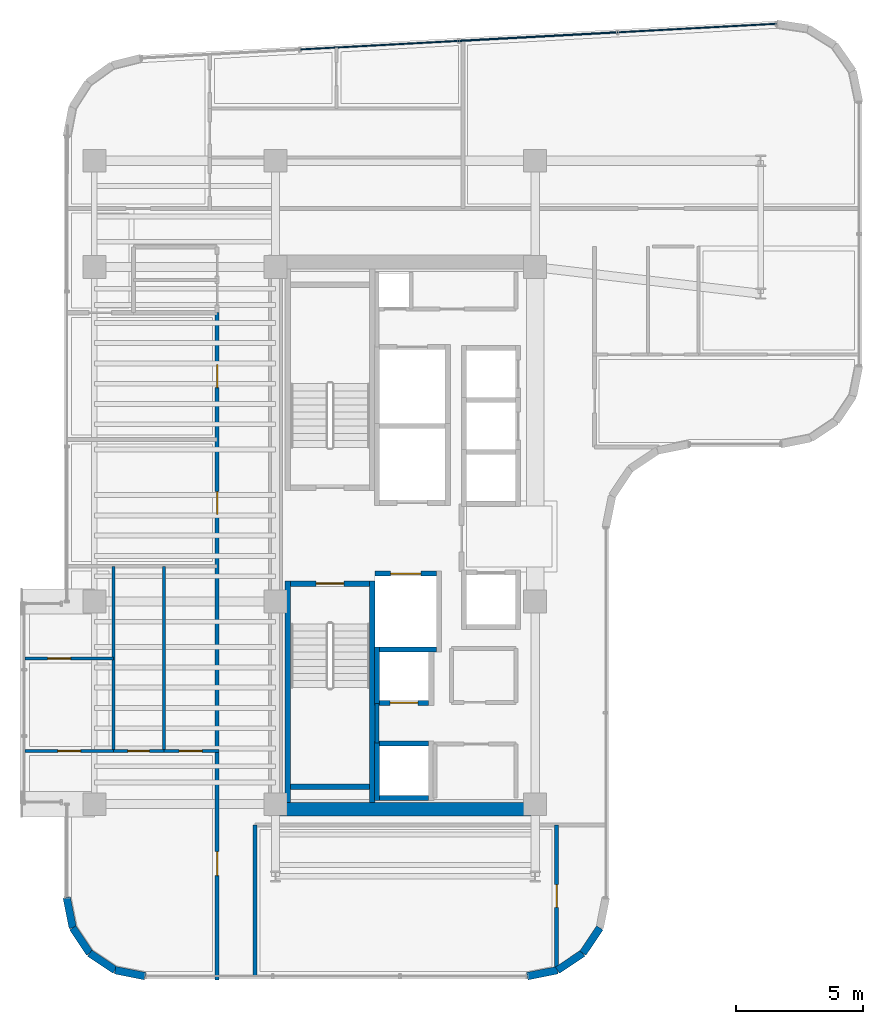
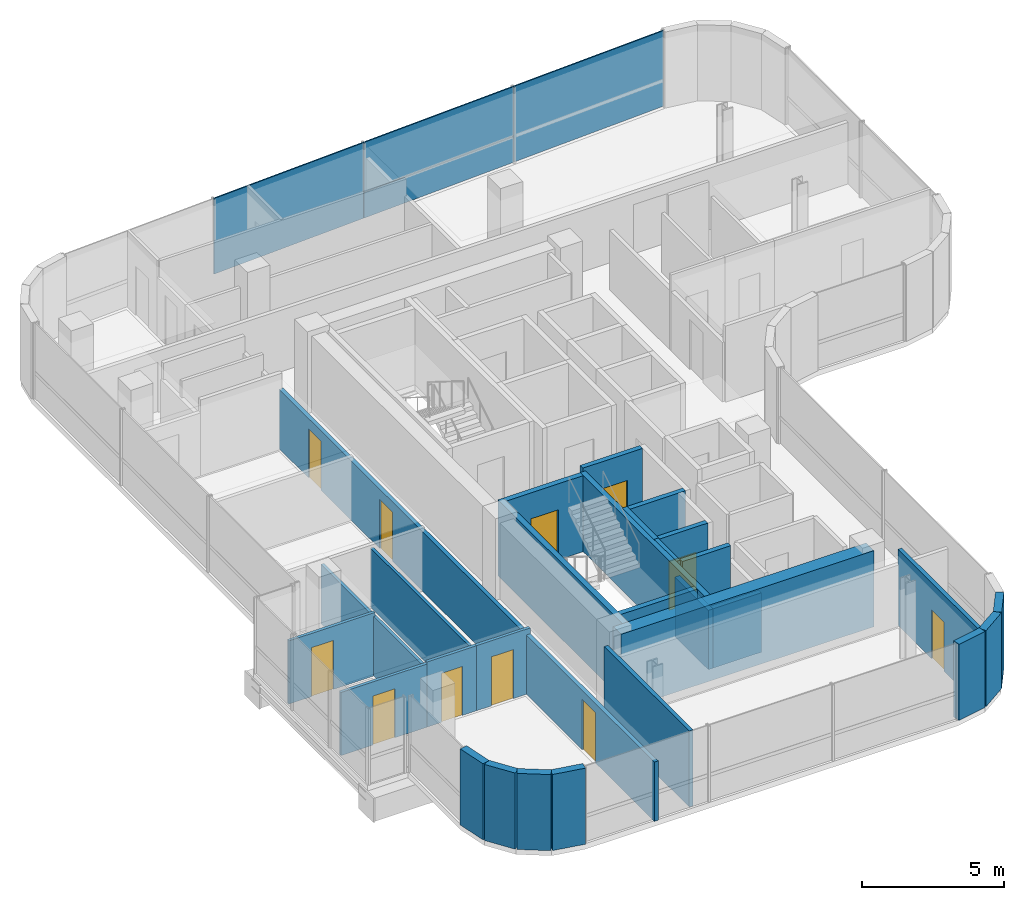
# One storey, part 18 of 24: 29 walls, 11 doors, 4 plates, 11 openings, 1 element without a shape of its own.
"""IFC4 building model written with IfcOpenShell, lengths in metres."""

import ifcopenshell
import ifcopenshell.guid

model = None  # the IFC model being written
_history = None  # IfcOwnerHistory: only IFC2X3 demands one
_inside = {}  # id of a spatial element -> (the spatial element, [elements in it])
_under = {}  # id of a project, library or spatial element -> (it, [spatial elements below it])
_declared = {}  # id of a project -> (the project, [libraries it declares])
_typed = {}  # id of a type object -> (the type object, [elements of that type])
_made_of = {}  # id of a material, layer set ... -> (it, [elements and type objects made of it])


def new_model(schema):
    """Start an empty IFC model of exactly this schema.

    Asked for "IFC4X3", IfcOpenShell would pick the latest addendum, in which some entities
    have other attributes; the version numbers below select the first issue.
    IFC2X3 requires an IfcOwnerHistory on every rooted entity: one is made here for all.
    """
    global model, _history
    if schema == "IFC4X3":
        model = ifcopenshell.file(schema_version=(4, 3, 0, 0))
    else:
        model = ifcopenshell.file(schema=schema)
    _inside.clear()
    _under.clear()
    _declared.clear()
    _typed.clear()
    _made_of.clear()
    _history = None
    if model.schema == "IFC2X3":
        org = make("IfcOrganization", Name="unknown")
        user = make(
            "IfcPersonAndOrganization",
            ThePerson=make("IfcPerson", FamilyName="unknown"),
            TheOrganization=org,
        )
        app = make(
            "IfcApplication",
            ApplicationDeveloper=org,
            Version="unknown",
            ApplicationFullName="unknown",
            ApplicationIdentifier="unknown",
        )
        _history = make(
            "IfcOwnerHistory",
            OwningUser=user,
            OwningApplication=app,
            ChangeAction="ADDED",
            CreationDate=0,
        )
    return model


def make(cls, **values):
    """One entity of the class cls with the attributes given. An attribute that is None is left unset."""
    return model.create_entity(
        cls, **{name: value for name, value in values.items() if value is not None}
    )


def rooted(cls, **values):
    """An entity with a GlobalId (a new one), such as an element, a storey or a relation."""
    return make(cls, GlobalId=ifcopenshell.guid.new(), OwnerHistory=_history, **values)


def si_unit(unit_type, name, prefix=None):
    """IfcSIUnit, for example si_unit("LENGTHUNIT", "METRE", prefix="MILLI")."""
    return make("IfcSIUnit", UnitType=unit_type, Prefix=prefix, Name=name)


def assignment(units):
    """IfcUnitAssignment: the units of a project."""
    return None if units is None else make("IfcUnitAssignment", Units=units)


def point(xyz):
    """IfcCartesianPoint."""
    return None if xyz is None else make("IfcCartesianPoint", Coordinates=xyz)


def direction(xyz):
    """IfcDirection."""
    return None if xyz is None else make("IfcDirection", DirectionRatios=xyz)


def frame(location, z_axis=None, x_axis=None):
    """IfcAxis2Placement3D, a coordinate frame: its origin and axes. An axis left out is left unset."""
    return make(
        "IfcAxis2Placement3D",
        Location=point(location),
        Axis=direction(z_axis),
        RefDirection=direction(x_axis),
    )


def frame_2d(location, x_axis=None):
    """IfcAxis2Placement2D, a coordinate frame in the plane: its origin and x axis."""
    return make(
        "IfcAxis2Placement2D", Location=point(location), RefDirection=direction(x_axis)
    )


def origin():
    """The frame at (0, 0, 0) with its axes left unset."""
    return frame((0.0, 0.0, 0.0))


def origin_2d():
    """The frame at (0, 0) in the plane with its x axis left unset."""
    return frame_2d((0.0, 0.0))


def place(relative_to, where):
    """IfcLocalPlacement: puts the frame where relative to a parent placement (None: the world)."""
    return make(
        "IfcLocalPlacement", PlacementRelTo=relative_to, RelativePlacement=where
    )


def context(
    kind, dimensions, precision=None, world=None, true_north=None, identifier=None
):
    """IfcGeometricRepresentationContext, for example the 3D "Model" context."""
    return make(
        "IfcGeometricRepresentationContext",
        ContextIdentifier=identifier,
        ContextType=kind,
        CoordinateSpaceDimension=dimensions,
        Precision=precision,
        WorldCoordinateSystem=world,
        TrueNorth=true_north,
    )


def subcontext(parent, identifier, kind, view, scale=None):
    """IfcGeometricRepresentationSubContext, for example "Body" below "Model"."""
    return make(
        "IfcGeometricRepresentationSubContext",
        ContextIdentifier=identifier,
        ContextType=kind,
        ParentContext=parent,
        TargetScale=scale,
        TargetView=view,
    )


def project(units=None, contexts=None):
    """IfcProject with its units and contexts."""
    return rooted(
        "IfcProject",
        Name="project",
        RepresentationContexts=contexts,
        UnitsInContext=assignment(units),
    )


def spatial(cls, under=None, at=None, **own):
    """A site, building, storey or space (cls), placed at a placement, below another one or the project."""
    s = rooted(cls, ObjectPlacement=at, **own)
    if under is not None:
        _under.setdefault(under.id(), (under, []))[1].append(s)
    return s


def profile(cls, at=None, kind="AREA", **sizes):
    """A parametric profile (cls). Its sizes go by their IFC names, for example OverallWidth=200.0."""
    return make(cls, ProfileType=kind, Position=at, **sizes)


def rectangle(**sizes):
    """IfcRectangleProfileDef."""
    return profile("IfcRectangleProfileDef", **sizes)


def extrude(swept, where, along, depth):
    """IfcExtrudedAreaSolid: the profile swept, set in the frame where, extruded along a direction by depth."""
    return make(
        "IfcExtrudedAreaSolid",
        SweptArea=swept,
        Position=where,
        ExtrudedDirection=direction(along),
        Depth=depth,
    )


def shape(context_of_items, identifier, shape_type, items):
    """IfcShapeRepresentation: the items that make up one representation, for example the "Body"."""
    return make(
        "IfcShapeRepresentation",
        ContextOfItems=context_of_items,
        RepresentationIdentifier=identifier,
        RepresentationType=shape_type,
        Items=items,
    )


def source(mapping_origin, context_of_items, identifier, shape_type, items):
    """IfcRepresentationMap: a shape defined once, which mapped items show again and again."""
    return make(
        "IfcRepresentationMap",
        MappingOrigin=mapping_origin,
        MappedRepresentation=shape(context_of_items, identifier, shape_type, items),
    )


def transform(
    local_origin,
    x_axis=None,
    y_axis=None,
    z_axis=None,
    scale=None,
    scale2=None,
    scale3=None,
    uniform=True,
):
    """IfcCartesianTransformationOperator3D, or its non-uniform kind. x_axis, y_axis, z_axis: its Axis1, 2, 3."""
    if uniform:
        return make(
            "IfcCartesianTransformationOperator3D",
            Axis1=direction(x_axis),
            Axis2=direction(y_axis),
            LocalOrigin=point(local_origin),
            Scale=scale,
            Axis3=direction(z_axis),
        )
    return make(
        "IfcCartesianTransformationOperator3DnonUniform",
        Axis1=direction(x_axis),
        Axis2=direction(y_axis),
        LocalOrigin=point(local_origin),
        Scale=scale,
        Axis3=direction(z_axis),
        Scale2=scale2,
        Scale3=scale3,
    )


def mapped(mapping_source, mapping_target):
    """IfcMappedItem: shows the shape of a source again, moved by a transform."""
    return make(
        "IfcMappedItem", MappingSource=mapping_source, MappingTarget=mapping_target
    )


def material(Name=None, Category=None):
    """IfcMaterial."""
    return make("IfcMaterial", Name=Name, Category=Category)


def layer(
    of_material, thickness, ventilated=None, Name=None, Category=None, Priority=None
):
    """IfcMaterialLayer: one layer of a wall or slab, of a material (None: an air gap)."""
    return make(
        "IfcMaterialLayer",
        Material=of_material,
        LayerThickness=thickness,
        IsVentilated=ventilated,
        Name=Name,
        Category=Category,
        Priority=Priority,
    )


def layer_set(layers, Name=None):
    """IfcMaterialLayerSet."""
    return make("IfcMaterialLayerSet", MaterialLayers=layers, LayerSetName=Name)


def made_of(thing, what):
    """Note that an element or type object is made of a material, layer set ...; save() writes the relation."""
    if what is not None:
        _made_of.setdefault(what.id(), (what, []))[1].append(thing)
    return thing


def type_object(cls, material=None, **own):
    """A type object (cls), such as IfcWallType, which elements share."""
    return made_of(rooted(cls, **own), material)


def element(
    cls,
    number,
    at=None,
    inside=None,
    cuts=None,
    type_object=None,
    material=None,
    context=None,
    identifier="Body",
    shape_type=None,
    held_by="IfcProductDefinitionShape",
    body=None,
    shapes=None,
    **own,
):
    """One element of the class cls, such as IfcWall. Its Tag is "e" and its number.

    at: its placement. inside: the storey or other place that contains it. cuts: it is an
    opening in that element (IfcRelVoidsElement). A single representation is given by context,
    identifier, shape_type and body (its items); several are given by shapes. held_by: the class
    of the entity that holds the representations. save() writes the other relations.
    """
    e = rooted(cls, Tag="e%d" % number, ObjectPlacement=at, **own)
    if body is not None:
        shapes = [shape(context, identifier, shape_type, body)]
    if shapes is not None:
        e.Representation = make(held_by, Representations=shapes)
    if inside is not None:
        _inside.setdefault(inside.id(), (inside, []))[1].append(e)
    if cuts is not None:
        rooted(
            "IfcRelVoidsElement", RelatingBuildingElement=cuts, RelatedOpeningElement=e
        )
    if type_object is not None:
        _typed.setdefault(type_object.id(), (type_object, []))[1].append(e)
    return made_of(e, material)


def fill(opening, filler):
    """IfcRelFillsElement: the door or window that sits in an opening."""
    return rooted(
        "IfcRelFillsElement",
        RelatingOpeningElement=opening,
        RelatedBuildingElement=filler,
    )


def aggregate(whole, parts):
    """IfcRelAggregates: a whole, such as a stair, and the parts it consists of."""
    return rooted("IfcRelAggregates", RelatingObject=whole, RelatedObjects=parts)


def save(model, path):
    """Write the relations noted so far, then the file.

    IfcRelAggregates (storeys below a building ...), IfcRelContainedInSpatialStructure (elements
    in a storey), IfcRelDefinesByType, IfcRelAssociatesMaterial and IfcRelDeclares: one each for
    every whole, place, type object, material and project.
    """
    for whole, parts in _under.values():
        aggregate(whole, parts)
    for where, things in _inside.values():
        rooted(
            "IfcRelContainedInSpatialStructure",
            RelatedElements=things,
            RelatingStructure=where,
        )
    for kind, things in _typed.values():
        rooted("IfcRelDefinesByType", RelatedObjects=things, RelatingType=kind)
    for what, things in _made_of.values():
        rooted("IfcRelAssociatesMaterial", RelatedObjects=things, RelatingMaterial=what)
    for by, libraries in _declared.values():
        rooted("IfcRelDeclares", RelatingContext=by, RelatedDefinitions=libraries)
    model.write(path)


model = new_model("IFC4")

# Units and contexts
model_context = context("Model", 3, precision=1e-05, world=origin(), true_north=direction((0.0, 1.0)))
body_context = subcontext(model_context, "Body", "Model", "MODEL_VIEW")
ifc_project = project(units=[si_unit("LENGTHUNIT", "METRE"), si_unit("AREAUNIT", "SQUARE_METRE"), si_unit("VOLUMEUNIT", "CUBIC_METRE"), si_unit("PLANEANGLEUNIT", "RADIAN"), si_unit("MASSUNIT", "GRAM", prefix="KILO")], contexts=[model_context])

# Site, building, storey
site_placement = place(None, origin())
site = spatial("IfcSite", under=ifc_project, at=site_placement, CompositionType="ELEMENT")
building_placement = place(site_placement, origin())
building = spatial("IfcBuilding", under=site, at=building_placement, Name="Valdorenza Pilgrim Sanctuary Tower", CompositionType="ELEMENT")
storey_placement = place(building_placement, frame((0.0, 0.0, 205.5)))
storey = spatial("IfcBuildingStorey", under=building, at=storey_placement, Name="L52", CompositionType="ELEMENT", Elevation=205.5)

# Curtain wall, plates
ifc_material_1 = material(Name="Curtain-wall IGU glazing", Category="glass")
curtain_wall_type = type_object("IfcCurtainWallType", Name="CW-SYS-02", PredefinedType="NOTDEFINED", material=ifc_material_1)
curtain_wall_placement = place(storey_placement, origin())
curtain_wall = element("IfcCurtainWall", 1, at=curtain_wall_placement, inside=storey, type_object=curtain_wall_type, Name="L52 Curtain Wall CW-L52-1-6", PredefinedType="NOTDEFINED")
ifc_material_2 = material(Name="Honed travertine limestone", Category="masonry")
ifc_layer_1 = layer(ifc_material_2, 0.050048828125, Name="Honed travertine limestone")
ifc_layer_set_1 = layer_set([ifc_layer_1], Name="Honed travertine limestone")
plate_type_1 = type_object("IfcPlateType", Name="CW-SPN-TRV", PredefinedType="USERDEFINED", material=ifc_layer_set_1)
shared_shape_1 = source(origin(), body_context, "Body", "SweptSolid", [
    extrude(rectangle(XDim=6.2587890625, YDim=0.06005859375, at=origin_2d()), origin(), (0.0, 0.0, 1.0), 1.10009765625),
])
plate_1_placement = place(storey_placement, frame((-12.281982421875, 19.699951171875, 0.010009765625), z_axis=(0.0, 0.0, 1.0), x_axis=(0.998547034311, 0.053887106711, 0.0)))
plate_1 = element("IfcPlate", 2, at=plate_1_placement, type_object=plate_type_1, Name="CW-L52-1-6 Travertine Spandrel 3", ObjectType="SPANDREL", PredefinedType="USERDEFINED", context=body_context, shape_type="MappedRepresentation", body=[
    mapped(shared_shape_1, transform((0.0, 0.0, 0.0), x_axis=(1.0, 0.0, 0.0), y_axis=(0.0, 1.0, 0.0), z_axis=(0.0, 0.0, 1.0), scale=1.0)),
])
ifc_material_3 = material(Name="Ceramic-fritted low-E IGU glazing", Category="glass")
ifc_layer_2 = layer(ifc_material_3, 0.035888671875, Name="Ceramic-fritted low-E IGU glazing")
ifc_layer_set_2 = layer_set([ifc_layer_2], Name="Ceramic-fritted low-E IGU glazing")
plate_type_2 = type_object("IfcPlateType", Name="CW-GLZ-IGU", PredefinedType="USERDEFINED", material=ifc_layer_set_2)
shared_shape_2 = source(origin(), body_context, "Body", "SweptSolid", [
    extrude(rectangle(XDim=6.2587890625, YDim=0.050048828125, at=origin_2d()), origin(), (0.0, 0.0, 1.0), 2.1201171875),
])
plate_2_placement = place(storey_placement, frame((-12.281982421875, 19.699951171875, 1.1298828125), z_axis=(0.0, 0.0, 1.0), x_axis=(0.998547034311, 0.053887106711, 0.0)))
plate_2 = element("IfcPlate", 3, at=plate_2_placement, type_object=plate_type_2, Name="CW-L52-1-6 Facade Panel 3", ObjectType="GLAZING", PredefinedType="USERDEFINED", context=body_context, shape_type="MappedRepresentation", body=[
    mapped(shared_shape_2, transform((0.0, 0.0, 0.0), x_axis=(1.0, 0.0, 0.0), y_axis=(0.0, 1.0, 0.0), z_axis=(0.0, 0.0, 1.0), scale=1.0)),
])
shared_shape_3 = source(origin(), body_context, "Body", "SweptSolid", [
    extrude(rectangle(XDim=6.2587890625, YDim=0.050048828125, at=origin_2d()), origin(), (0.0, 0.0, 1.0), 3.239990234375),
])
plate_3_placement = place(storey_placement, frame((-18.551513671875, 19.36181640625, 0.009765625), z_axis=(0.0, 0.0, 1.0), x_axis=(0.998547034311, 0.053887106711, 0.0)))
plate_3 = element("IfcPlate", 4, at=plate_3_placement, type_object=plate_type_2, Name="CW-L52-1-6 Full-Height Facade Panel 2", ObjectType="GLAZING", PredefinedType="USERDEFINED", context=body_context, shape_type="MappedRepresentation", body=[
    mapped(shared_shape_3, transform((0.0, 0.0, 0.0), x_axis=(1.0, 0.0, 0.0), y_axis=(0.0, 1.0, 0.0), z_axis=(0.0, 0.0, 1.0), scale=1.0)),
])
plate_4_placement = place(storey_placement, frame((-6.012451171875, 20.038330078125, 0.009765625), z_axis=(0.0, 0.0, 1.0), x_axis=(0.998547034311, 0.053887106711, 0.0)))
plate_4 = element("IfcPlate", 5, at=plate_4_placement, type_object=plate_type_2, Name="CW-L52-1-6 Full-Height Facade Panel 4", ObjectType="GLAZING", PredefinedType="USERDEFINED", context=body_context, shape_type="MappedRepresentation", body=[
    mapped(shared_shape_3, transform((0.0, 0.0, 0.0), x_axis=(1.0, 0.0, 0.0), y_axis=(0.0, 1.0, 0.0), z_axis=(0.0, 0.0, 1.0), scale=1.0)),
])
aggregate(curtain_wall, [plate_3, plate_1, plate_2, plate_4])

# Walls
ifc_material_4 = material(Name="Acoustic twin-stud gypsum partition", Category="gypsum")
ifc_layer_3 = layer(ifc_material_4, 0.159912109375, Name="Acoustic twin-stud gypsum partition")
ifc_layer_set_3 = layer_set([ifc_layer_3], Name="Acoustic twin-stud gypsum partition")
wall_type_1 = type_object("IfcWallType", Name="WAL-COR-160", PredefinedType="PARTITIONING", material=ifc_layer_set_3)
wall_1_placement = place(storey_placement, frame((-18.64990234375, -8.179931640625, 0.0), z_axis=(0.0, 0.0, 1.0), x_axis=(0.0, 1.0, 0.0)))
element("IfcWall", 6, at=wall_1_placement, inside=storey, type_object=wall_type_1, Name="L52 Core A South Lift Hall West Wall", PredefinedType="PARTITIONING", context=body_context, shape_type="SweptSolid", body=[
    extrude(rectangle(XDim=1.559814453125, YDim=0.159912109375, at=frame_2d((0.77978515625, 0.0))), origin(), (0.0, 0.0, 1.0), 3.260009765625),
])
wall_2_placement = place(storey_placement, frame((-23.449951171875, -17.389892578125, 0.0), z_axis=(0.0, 0.0, 1.0), x_axis=(0.0, 1.0, 0.0)))
element("IfcWall", 7, at=wall_2_placement, inside=storey, type_object=wall_type_1, Name="L52 South-East Pocket West Wall", PredefinedType="PARTITIONING", context=body_context, shape_type="SweptSolid", body=[
    extrude(rectangle(XDim=5.969970703125, YDim=0.159912109375, at=frame_2d((2.98486328125, 0.0))), origin(), (0.0, 0.0, 1.0), 3.260009765625),
])

# Wall, openings, doors
wall_3_placement = place(storey_placement, frame((-24.949951171875, -17.5400390625, 0.0), z_axis=(0.0, 0.0, 1.0), x_axis=(0.0, 1.0, 0.0)))
wall_3 = element("IfcWall", 8, at=wall_3_placement, inside=storey, type_object=wall_type_1, Name="L52 West Wing Corridor Wall", PredefinedType="PARTITIONING", context=body_context, shape_type="SweptSolid", body=[
    extrude(rectangle(XDim=26.340087890625, YDim=0.159912109375, at=frame_2d((13.169921875, 0.0))), origin(), (0.0, 0.0, 1.0), 2.5439453125),
])
opening_1_placement = place(wall_3_placement, frame((4.1220703125, 0.0, 0.0)))
opening_1 = element("IfcOpeningElement", 9, at=opening_1_placement, cuts=wall_3, Name="Opening DR-UN1", PredefinedType="OPENING", context=body_context, shape_type="SweptSolid", body=[
    extrude(rectangle(XDim=0.949951171875, YDim=2.14990234375, at=frame_2d((0.47509765625, 1.074951171875))), frame((0.0, 0.0947265625, 0.0), z_axis=(0.0, -1.0, 0.0), x_axis=(1.0, 0.0, 0.0)), (0.0, 0.0, 1.0), 0.189697265625),
])
opening_2_placement = place(wall_3_placement, frame((18.383056640625, 0.0, 0.0)))
opening_2 = element("IfcOpeningElement", 10, at=opening_2_placement, cuts=wall_3, Name="Opening DR-RM1", PredefinedType="OPENING", context=body_context, shape_type="SweptSolid", body=[
    extrude(rectangle(XDim=0.89990234375, YDim=2.10009765625, at=frame_2d((0.449951171875, 1.050048828125))), frame((0.0, 0.0947265625, 0.0), z_axis=(0.0, -1.0, 0.0), x_axis=(1.0, 0.0, 0.0)), (0.0, 0.0, 1.0), 0.189697265625),
])
opening_3_placement = place(wall_3_placement, frame((23.387939453125, 0.0, 0.0)))
opening_3 = element("IfcOpeningElement", 11, at=opening_3_placement, cuts=wall_3, Name="Opening DR-RM1", PredefinedType="OPENING", context=body_context, shape_type="SweptSolid", body=[
    extrude(rectangle(XDim=0.89990234375, YDim=2.10009765625, at=frame_2d((0.449951171875, 1.050048828125))), frame((0.0, 0.0947265625, 0.0), z_axis=(0.0, -1.0, 0.0), x_axis=(1.0, 0.0, 0.0)), (0.0, 0.0, 1.0), 0.189697265625),
])
ifc_material_5 = material(Name="Solid-core European oak timber", Category="wood")
door_type_1 = type_object("IfcDoorType", Name="DR-ROOM-900", OperationType="NOTDEFINED", PredefinedType="DOOR", material=ifc_material_5)
door_1_placement = place(opening_2_placement, frame((0.89990234375, 0.0, 0.0), z_axis=(0.0, 0.0, 1.0), x_axis=(-1.0, 0.0, 0.0)))
door_1 = element("IfcDoor", 12, at=door_1_placement, inside=storey, type_object=door_type_1, Name="L52 Sanctuary Tea Lounge L52-W Door", OperationType="SINGLE_SWING_LEFT", OverallHeight=2.10009765625, OverallWidth=0.89990234375, PredefinedType="DOOR", context=body_context, shape_type="SweptSolid", body=[
    extrude(rectangle(XDim=0.89990234375, YDim=2.10009765625, at=frame_2d((0.449951171875, 1.050048828125))), frame((0.0, 0.02490234375, 0.0), z_axis=(0.0, -1.0, 0.0), x_axis=(1.0, 0.0, 0.0)), (0.0, 0.0, 1.0), 0.050048828125),
])
fill(opening_2, door_1)
door_2_placement = place(opening_3_placement, origin())
door_2 = element("IfcDoor", 13, at=door_2_placement, inside=storey, type_object=door_type_1, Name="L52 Curator Research Office L52-W Door", OperationType="SINGLE_SWING_RIGHT", OverallHeight=2.10009765625, OverallWidth=0.89990234375, PredefinedType="DOOR", context=body_context, shape_type="SweptSolid", body=[
    extrude(rectangle(XDim=0.89990234375, YDim=2.10009765625, at=frame_2d((0.449951171875, 1.050048828125))), frame((0.0, 0.02490234375, 0.0), z_axis=(0.0, -1.0, 0.0), x_axis=(1.0, 0.0, 0.0)), (0.0, 0.0, 1.0), 0.050048828125),
])
fill(opening_3, door_2)
door_type_2 = type_object("IfcDoorType", Name="DR-UNIT-950", OperationType="NOTDEFINED", PredefinedType="DOOR", material=ifc_material_5)
door_3_placement = place(opening_1_placement, origin())
door_3 = element("IfcDoor", 14, at=door_3_placement, inside=storey, type_object=door_type_2, Name="L52 Grand Pilgrim Residence L52-W1 Entrance Door", OperationType="SINGLE_SWING_RIGHT", OverallHeight=2.14990234375, OverallWidth=0.949951171875, PredefinedType="DOOR", context=body_context, shape_type="SweptSolid", body=[
    extrude(rectangle(XDim=0.949951171875, YDim=2.14990234375, at=frame_2d((0.47509765625, 1.074951171875))), frame((0.0, 0.02490234375, 0.0), z_axis=(0.0, -1.0, 0.0), x_axis=(1.0, 0.0, 0.0)), (0.0, 0.0, 1.0), 0.050048828125),
])
fill(opening_1, door_3)

# Wall, opening, door
wall_4_placement = place(storey_placement, frame((-11.550048828125, -17.023681640625, 0.0), z_axis=(0.0, 0.0, 1.0), x_axis=(0.0, 1.0, 0.0)))
wall_4 = element("IfcWall", 15, at=wall_4_placement, inside=storey, type_object=wall_type_1, Name="L52 South-East Concourse Wall", PredefinedType="PARTITIONING", context=body_context, shape_type="SweptSolid", body=[
    extrude(rectangle(XDim=5.603759765625, YDim=0.159912109375, at=frame_2d((2.8017578125, 0.0))), origin(), (0.0, 0.0, 1.0), 3.260009765625),
])
opening_4_placement = place(wall_4_placement, frame((2.35205078125, 0.0, 0.0)))
opening_4 = element("IfcOpeningElement", 16, at=opening_4_placement, cuts=wall_4, Name="Opening DR-RM1", PredefinedType="OPENING", context=body_context, shape_type="SweptSolid", body=[
    extrude(rectangle(XDim=0.89990234375, YDim=2.10009765625, at=frame_2d((0.449951171875, 1.050048828125))), frame((0.0, 0.0947265625, 0.0), z_axis=(0.0, -1.0, 0.0), x_axis=(1.0, 0.0, 0.0)), (0.0, 0.0, 1.0), 0.189697265625),
])
door_4_placement = place(opening_4_placement, frame((0.89990234375, 0.0, 0.0), z_axis=(0.0, 0.0, 1.0), x_axis=(-1.0, 0.0, 0.0)))
door_4 = element("IfcDoor", 17, at=door_4_placement, inside=storey, type_object=door_type_1, Name="L52 South Contemplation Lounge L52 Door", OperationType="SINGLE_SWING_LEFT", OverallHeight=2.10009765625, OverallWidth=0.89990234375, PredefinedType="DOOR", context=body_context, shape_type="SweptSolid", body=[
    extrude(rectangle(XDim=0.89990234375, YDim=2.10009765625, at=frame_2d((0.449951171875, 1.050048828125))), frame((0.0, 0.02490234375, 0.0), z_axis=(0.0, -1.0, 0.0), x_axis=(1.0, 0.0, 0.0)), (0.0, 0.0, 1.0), 0.050048828125),
])
fill(opening_4, door_4)

# Walls
ifc_material_6 = material(Name="Concrete C50/60", Category="concrete")
ifc_layer_4 = layer(ifc_material_6, 0.550048828125, Name="Concrete C50/60")
ifc_layer_set_4 = layer_set([ifc_layer_4], Name="Concrete C50/60")
wall_type_2 = type_object("IfcWallType", Name="WAL-COR-550", PredefinedType="SHEAR", material=ifc_layer_set_4)
wall_5_placement = place(storey_placement, frame((-22.64990234375, -10.800048828125, 0.0), z_axis=(0.0, 0.0, 1.0), x_axis=(1.0, 0.0, 0.0)))
element("IfcWall", 18, at=wall_5_placement, inside=storey, type_object=wall_type_2, Name="L52 Split Core A Shear Wall S", PredefinedType="SHEAR", context=body_context, shape_type="SweptSolid", body=[
    extrude(rectangle(XDim=10.25, YDim=0.550048828125, at=frame_2d((5.125, 0.0))), origin(), (0.0, 0.0, 1.0), 3.260009765625),
])
ifc_layer_5 = layer(ifc_material_2, 0.300048828125, Name="Honed travertine limestone")
ifc_layer_set_5 = layer_set([ifc_layer_5], Name="Honed travertine limestone")
wall_type_3 = type_object("IfcWallType", Name="WAL-EXT-300", PredefinedType="SOLIDWALL", material=ifc_layer_set_5)
for number, where, z_axis, x_axis, name in (
    (19, (-9.84716796875, -15.481689453125, 0.0), (0.0, 0.0, 1.0), (-0.555635100982, -0.831426265255, 0.0), "L52 Rounded Wind-Corner Stone Pier 23"),
    (20, (-10.5166015625, -16.4833984375, 0.0), (0.0, 0.0, 1.0), (-0.831426265255, -0.555635100982, 0.0), "L52 Rounded Wind-Corner Stone Pier 24"),
):
    element("IfcWall", number, at=place(storey_placement, frame(where, z_axis=z_axis, x_axis=x_axis)), inside=storey, type_object=wall_type_3, Name=name, PredefinedType="SOLIDWALL", context=body_context, shape_type="SweptSolid", body=[
        extrude(rectangle(XDim=1.204833984375, YDim=0.300048828125, at=frame_2d((0.6025390625, 0.0))), origin(), (0.0, 0.0, 1.0), 3.260009765625),
    ])
for number, where, z_axis, x_axis, name in (
    (21, (-11.518310546875, -17.15283203125, 0.0), (0.0, 0.0, 1.0), (-0.980804027463, -0.194996050505, 0.0), "L52 Rounded Wind-Corner Stone Pier 25"),
    (22, (-27.789306640625, -17.389892578125, 0.0), (0.0, 0.0, 1.0), (-0.980804027463, 0.194996050505, 0.0), "L52 Rounded Wind-Corner Stone Pier 27"),
):
    element("IfcWall", number, at=place(storey_placement, frame(where, z_axis=z_axis, x_axis=x_axis)), inside=storey, type_object=wall_type_3, Name=name, PredefinedType="SOLIDWALL", context=body_context, shape_type="SweptSolid", body=[
        extrude(rectangle(XDim=1.2158203125, YDim=0.300048828125, at=frame_2d((0.60791015625, 0.0))), origin(), (0.0, 0.0, 1.0), 3.260009765625),
    ])
for number, where, z_axis, x_axis, name in (
    (23, (-28.981689453125, -17.15283203125, 0.0), (0.0, 0.0, 1.0), (-0.831426265255, 0.555635100982, 0.0), "L52 Rounded Wind-Corner Stone Pier 28"),
    (24, (-29.9833984375, -16.4833984375, 0.0), (0.0, 0.0, 1.0), (-0.555635100982, 0.831426265255, 0.0), "L52 Rounded Wind-Corner Stone Pier 29"),
):
    element("IfcWall", number, at=place(storey_placement, frame(where, z_axis=z_axis, x_axis=x_axis)), inside=storey, type_object=wall_type_3, Name=name, PredefinedType="SOLIDWALL", context=body_context, shape_type="SweptSolid", body=[
        extrude(rectangle(XDim=1.204833984375, YDim=0.300048828125, at=frame_2d((0.6025390625, 0.0))), origin(), (0.0, 0.0, 1.0), 3.260009765625),
    ])
wall_6_placement = place(storey_placement, frame((-30.65283203125, -15.481689453125, 0.0), z_axis=(0.0, 0.0, 1.0), x_axis=(-0.194996050505, 0.980804027463, 0.0)))
element("IfcWall", 25, at=wall_6_placement, inside=storey, type_object=wall_type_3, Name="L52 Rounded Wind-Corner Stone Pier 30", PredefinedType="SOLIDWALL", context=body_context, shape_type="SweptSolid", body=[
    extrude(rectangle(XDim=1.2158203125, YDim=0.300048828125, at=frame_2d((0.60791015625, 0.0))), origin(), (0.0, 0.0, 1.0), 3.260009765625),
])
ifc_material_7 = material(Name="Moisture-resistant gypsum partition", Category="gypsum")
ifc_layer_6 = layer(ifc_material_7, 0.1201171875, Name="Moisture-resistant gypsum partition")
ifc_layer_set_6 = layer_set([ifc_layer_6], Name="Moisture-resistant gypsum partition")
wall_type_4 = type_object("IfcWallType", Name="WAL-INT-120", PredefinedType="PARTITIONING", material=ifc_layer_set_6)
for number, where, z_axis, x_axis, name in (
    (26, (-27.050048828125, -8.49658203125, 0.0), (0.0, 0.0, 1.0), (0.0, 1.0, 0.0), "L52 Grand Pilgrim Residence L52-W1 Bath-Kitchen Wall"),
    (27, (-29.050048828125, -8.49658203125, 0.0), (0.0, 0.0, 1.0), (0.0, 1.0, 0.0), "L52 Grand Pilgrim Residence L52-W1 Kitchen-Bedroom Wall"),
):
    element("IfcWall", number, at=place(storey_placement, frame(where, z_axis=z_axis, x_axis=x_axis)), inside=storey, type_object=wall_type_4, Name=name, PredefinedType="PARTITIONING", context=body_context, shape_type="SweptSolid", body=[
        extrude(rectangle(XDim=7.28759765625, YDim=0.1201171875, at=frame_2d((3.643798828125, 0.0))), origin(), (0.0, 0.0, 1.0), 2.5439453125),
    ])

# Wall, opening, door
wall_7_placement = place(storey_placement, frame((-29.050048828125, -8.49658203125, 0.0), z_axis=(0.0, 0.0, 1.0), x_axis=(1.0, 0.0, 0.0)))
wall_7 = element("IfcWall", 28, at=wall_7_placement, inside=storey, type_object=wall_type_4, Name="L52 Grand Pilgrim Residence L52-W1 Bathroom Door Wall", PredefinedType="PARTITIONING", context=body_context, shape_type="SweptSolid", body=[
    extrude(rectangle(XDim=2.0, YDim=0.1201171875, at=frame_2d((1.0, 0.0))), origin(), (0.0, 0.0, 1.0), 2.7880859375),
])
opening_5_placement = place(wall_7_placement, frame((0.574951171875, 0.0, 0.0)))
opening_5 = element("IfcOpeningElement", 29, at=opening_5_placement, cuts=wall_7, Name="Opening DR-WC1", PredefinedType="OPENING", context=body_context, shape_type="SweptSolid", body=[
    extrude(rectangle(XDim=0.85009765625, YDim=2.10009765625, at=frame_2d((0.425048828125, 1.050048828125))), frame((0.0, 0.074951171875, 0.0), z_axis=(0.0, -1.0, 0.0), x_axis=(1.0, 0.0, 0.0)), (0.0, 0.0, 1.0), 0.14990234375),
])
ifc_material_8 = material(Name="Moisture-resistant lacquered timber", Category="wood")
door_type_3 = type_object("IfcDoorType", Name="DR-BATH-850", OperationType="NOTDEFINED", PredefinedType="DOOR", material=ifc_material_8)
door_5_placement = place(opening_5_placement, origin())
door_5 = element("IfcDoor", 30, at=door_5_placement, inside=storey, type_object=door_type_3, Name="L52 Grand Pilgrim Residence L52-W1 Bathroom Door", OperationType="SINGLE_SWING_LEFT", OverallHeight=2.10009765625, OverallWidth=0.85009765625, PredefinedType="DOOR", context=body_context, shape_type="SweptSolid", body=[
    extrude(rectangle(XDim=0.85009765625, YDim=2.10009765625, at=frame_2d((0.425048828125, 1.050048828125))), frame((0.0, 0.02490234375, 0.0), z_axis=(0.0, -1.0, 0.0), x_axis=(1.0, 0.0, 0.0)), (0.0, 0.0, 1.0), 0.050048828125),
])
fill(opening_5, door_5)

wall_8_placement = place(storey_placement, frame((-27.050048828125, -8.49658203125, 0.0), z_axis=(0.0, 0.0, 1.0), x_axis=(1.0, 0.0, 0.0)))
wall_8 = element("IfcWall", 31, at=wall_8_placement, inside=storey, type_object=wall_type_4, Name="L52 Grand Pilgrim Residence L52-W1 Kitchen Door Wall", PredefinedType="PARTITIONING", context=body_context, shape_type="SweptSolid", body=[
    extrude(rectangle(XDim=2.179931640625, YDim=0.1201171875, at=frame_2d((1.08984375, 0.0))), origin(), (0.0, 0.0, 1.0), 2.7880859375),
])
opening_6_placement = place(wall_8_placement, frame((0.60009765625, 0.0, 0.0)))
opening_6 = element("IfcOpeningElement", 32, at=opening_6_placement, cuts=wall_8, Name="Opening DR-RM1", PredefinedType="OPENING", context=body_context, shape_type="SweptSolid", body=[
    extrude(rectangle(XDim=0.89990234375, YDim=2.10009765625, at=frame_2d((0.449951171875, 1.050048828125))), frame((0.0, 0.074951171875, 0.0), z_axis=(0.0, -1.0, 0.0), x_axis=(1.0, 0.0, 0.0)), (0.0, 0.0, 1.0), 0.14990234375),
])
door_6_placement = place(opening_6_placement, origin())
door_6 = element("IfcDoor", 33, at=door_6_placement, inside=storey, type_object=door_type_1, Name="L52 Grand Pilgrim Residence L52-W1 Kitchen Door", OperationType="SINGLE_SWING_RIGHT", OverallHeight=2.10009765625, OverallWidth=0.89990234375, PredefinedType="DOOR", context=body_context, shape_type="SweptSolid", body=[
    extrude(rectangle(XDim=0.89990234375, YDim=2.10009765625, at=frame_2d((0.449951171875, 1.050048828125))), frame((0.0, 0.02490234375, 0.0), z_axis=(0.0, -1.0, 0.0), x_axis=(1.0, 0.0, 0.0)), (0.0, 0.0, 1.0), 0.050048828125),
])
fill(opening_6, door_6)

wall_9_placement = place(storey_placement, frame((-32.5400390625, -8.49658203125, 0.0), z_axis=(0.0, 0.0, 1.0), x_axis=(1.0, 0.0, 0.0)))
wall_9 = element("IfcWall", 34, at=wall_9_placement, inside=storey, type_object=wall_type_4, Name="L52 Grand Pilgrim Residence L52-W1 Bedroom Door Wall", PredefinedType="PARTITIONING", context=body_context, shape_type="SweptSolid", body=[
    extrude(rectangle(XDim=3.489990234375, YDim=0.1201171875, at=frame_2d((1.7451171875, 0.0))), origin(), (0.0, 0.0, 1.0), 2.7060546875),
])
opening_7_placement = place(wall_9_placement, frame((1.294921875, 0.0, 0.0)))
opening_7 = element("IfcOpeningElement", 35, at=opening_7_placement, cuts=wall_9, Name="Opening DR-RM1", PredefinedType="OPENING", context=body_context, shape_type="SweptSolid", body=[
    extrude(rectangle(XDim=0.89990234375, YDim=2.10009765625, at=frame_2d((0.449951171875, 1.050048828125))), frame((0.0, 0.074951171875, 0.0), z_axis=(0.0, -1.0, 0.0), x_axis=(1.0, 0.0, 0.0)), (0.0, 0.0, 1.0), 0.14990234375),
])
door_7_placement = place(opening_7_placement, frame((0.89990234375, 0.0, 0.0), z_axis=(0.0, 0.0, 1.0), x_axis=(-1.0, 0.0, 0.0)))
door_7 = element("IfcDoor", 36, at=door_7_placement, inside=storey, type_object=door_type_1, Name="L52 Grand Pilgrim Residence L52-W1 Bedroom 1 Door", OperationType="SINGLE_SWING_LEFT", OverallHeight=2.10009765625, OverallWidth=0.89990234375, PredefinedType="DOOR", context=body_context, shape_type="SweptSolid", body=[
    extrude(rectangle(XDim=0.89990234375, YDim=2.10009765625, at=frame_2d((0.449951171875, 1.050048828125))), frame((0.0, 0.02490234375, 0.0), z_axis=(0.0, -1.0, 0.0), x_axis=(1.0, 0.0, 0.0)), (0.0, 0.0, 1.0), 0.050048828125),
])
fill(opening_7, door_7)

wall_10_placement = place(storey_placement, frame((-32.5400390625, -4.852783203125, 0.0), z_axis=(0.0, 0.0, 1.0), x_axis=(1.0, 0.0, 0.0)))
wall_10 = element("IfcWall", 37, at=wall_10_placement, inside=storey, type_object=wall_type_4, Name="L52 Grand Pilgrim Residence L52-W1 Bedroom 2 Wall", PredefinedType="PARTITIONING", context=body_context, shape_type="SweptSolid", body=[
    extrude(rectangle(XDim=3.489990234375, YDim=0.1201171875, at=frame_2d((1.7451171875, 0.0))), origin(), (0.0, 0.0, 1.0), 2.7060546875),
])
opening_8_placement = place(wall_10_placement, frame((0.89990234375, 0.0, 0.0)))
opening_8 = element("IfcOpeningElement", 38, at=opening_8_placement, cuts=wall_10, Name="Opening DR-RM1", PredefinedType="OPENING", context=body_context, shape_type="SweptSolid", body=[
    extrude(rectangle(XDim=0.89990234375, YDim=2.10009765625, at=frame_2d((0.449951171875, 1.050048828125))), frame((0.0, 0.074951171875, 0.0), z_axis=(0.0, -1.0, 0.0), x_axis=(1.0, 0.0, 0.0)), (0.0, 0.0, 1.0), 0.14990234375),
])
door_8_placement = place(opening_8_placement, origin())
door_8 = element("IfcDoor", 39, at=door_8_placement, inside=storey, type_object=door_type_1, Name="L52 Grand Pilgrim Residence L52-W1 Bedroom 2 Door", OperationType="SINGLE_SWING_RIGHT", OverallHeight=2.10009765625, OverallWidth=0.89990234375, PredefinedType="DOOR", context=body_context, shape_type="SweptSolid", body=[
    extrude(rectangle(XDim=0.89990234375, YDim=2.10009765625, at=frame_2d((0.449951171875, 1.050048828125))), frame((0.0, 0.02490234375, 0.0), z_axis=(0.0, -1.0, 0.0), x_axis=(1.0, 0.0, 0.0)), (0.0, 0.0, 1.0), 0.050048828125),
])
fill(opening_8, door_8)

# Wall
ifc_material_9 = material(Name="Autoclaved aerated concrete blockwork", Category="masonry")
ifc_layer_7 = layer(ifc_material_9, 0.199951171875, Name="Autoclaved aerated concrete blockwork")
ifc_layer_set_7 = layer_set([ifc_layer_7], Name="Autoclaved aerated concrete blockwork")
wall_type_5 = type_object("IfcWallType", Name="WAL-SHF-200", PredefinedType="MOVABLE", material=ifc_layer_set_7)
wall_11_placement = place(storey_placement, frame((-18.719970703125, -4.5, 0.0), z_axis=(0.0, 0.0, 1.0), x_axis=(1.0, 0.0, 0.0)))
element("IfcWall", 40, at=wall_11_placement, inside=storey, type_object=wall_type_5, Name="L52 Lift FFL-02 Hoistway Wall South", PredefinedType="MOVABLE", context=body_context, shape_type="SweptSolid", body=[
    extrude(rectangle(XDim=2.419921875, YDim=0.199951171875, at=frame_2d((1.2099609375, 0.0))), origin(), (0.0, 0.0, 1.0), 3.260009765625),
])

# Wall, opening, door
wall_12_placement = place(storey_placement, frame((-18.719970703125, -1.5, 0.0), z_axis=(0.0, 0.0, 1.0), x_axis=(1.0, 0.0, 0.0)))
wall_12 = element("IfcWall", 41, at=wall_12_placement, inside=storey, type_object=wall_type_5, Name="L52 Lift FFL-02 Hoistway Wall North", PredefinedType="MOVABLE", context=body_context, shape_type="SweptSolid", body=[
    extrude(rectangle(XDim=2.419921875, YDim=0.199951171875, at=frame_2d((1.2099609375, 0.0))), origin(), (0.0, 0.0, 1.0), 3.260009765625),
])
opening_9_placement = place(wall_12_placement, frame((0.610107421875, 0.0, 0.0)))
opening_9 = element("IfcOpeningElement", 42, at=opening_9_placement, cuts=wall_12, Name="Opening LD-02", PredefinedType="OPENING", context=body_context, shape_type="SweptSolid", body=[
    extrude(rectangle(XDim=1.199951171875, YDim=2.10009765625, at=frame_2d((0.60009765625, 1.050048828125))), frame((0.0, 0.11474609375, 0.0), z_axis=(0.0, -1.0, 0.0), x_axis=(1.0, 0.0, 0.0)), (0.0, 0.0, 1.0), 0.229736328125),
])
ifc_material_10 = material(Name="Brushed stainless steel Grade 316", Category="steel")
door_type_4 = type_object("IfcDoorType", Name="DR-LFT-1200", OperationType="DOUBLE_DOOR_SLIDING", PredefinedType="DOOR", material=ifc_material_10)
door_9_placement = place(opening_9_placement, origin())
door_9 = element("IfcDoor", 43, at=door_9_placement, inside=storey, type_object=door_type_4, Name="L52 Lift FFL-02 Sliding Landing Door", OperationType="DOUBLE_DOOR_SLIDING", OverallHeight=2.10009765625, OverallWidth=1.199951171875, PredefinedType="DOOR", context=body_context, shape_type="SweptSolid", body=[
    extrude(rectangle(XDim=1.199951171875, YDim=2.10009765625, at=frame_2d((0.60009765625, 1.050048828125))), frame((0.0, 0.02490234375, 0.0), z_axis=(0.0, -1.0, 0.0), x_axis=(1.0, 0.0, 0.0)), (0.0, 0.0, 1.0), 0.050048828125),
])
fill(opening_9, door_9)

# Walls
wall_13_placement = place(storey_placement, frame((-18.64990234375, -10.449951171875, 0.0), z_axis=(0.0, 0.0, 1.0), x_axis=(0.0, 1.0, 0.0)))
element("IfcWall", 44, at=wall_13_placement, inside=storey, type_object=wall_type_5, Name="L52 Lift PL-05 Hoistway Wall West", PredefinedType="MOVABLE", context=body_context, shape_type="SweptSolid", body=[
    extrude(rectangle(XDim=2.349853515625, YDim=0.199951171875, at=frame_2d((1.1748046875, 0.0))), origin(), (0.0, 0.0, 1.0), 2.5439453125),
])
wall_14_placement = place(storey_placement, frame((-18.550048828125, -10.35009765625, 0.0), z_axis=(0.0, 0.0, 1.0), x_axis=(1.0, 0.0, 0.0)))
element("IfcWall", 45, at=wall_14_placement, inside=storey, type_object=wall_type_5, Name="L52 Lift PL-05 Hoistway Wall South", PredefinedType="MOVABLE", context=body_context, shape_type="SweptSolid", body=[
    extrude(rectangle(XDim=1.949951171875, YDim=0.199951171875, at=frame_2d((0.97509765625, 0.0))), origin(), (0.0, 0.0, 1.0), 2.5439453125),
])
wall_15_placement = place(storey_placement, frame((-18.550048828125, -8.199951171875, 0.0), z_axis=(0.0, 0.0, 1.0), x_axis=(1.0, 0.0, 0.0)))
element("IfcWall", 46, at=wall_15_placement, inside=storey, type_object=wall_type_5, Name="L52 Lift PL-05 Hoistway Wall North", PredefinedType="MOVABLE", context=body_context, shape_type="SweptSolid", body=[
    extrude(rectangle(XDim=1.949951171875, YDim=0.199951171875, at=frame_2d((0.97509765625, 0.0))), origin(), (0.0, 0.0, 1.0), 3.260009765625),
])
wall_16_placement = place(storey_placement, frame((-18.64990234375, -6.699951171875, 0.0), z_axis=(0.0, 0.0, 1.0), x_axis=(0.0, 1.0, 0.0)))
element("IfcWall", 47, at=wall_16_placement, inside=storey, type_object=wall_type_5, Name="L52 Lift PL-11 Hoistway Wall West", PredefinedType="MOVABLE", context=body_context, shape_type="SweptSolid", body=[
    extrude(rectangle(XDim=2.300048828125, YDim=0.199951171875, at=frame_2d((1.14990234375, 0.0))), origin(), (0.0, 0.0, 1.0), 3.260009765625),
])

# Wall, opening, door
wall_17_placement = place(storey_placement, frame((-18.550048828125, -6.60009765625, 0.0), z_axis=(0.0, 0.0, 1.0), x_axis=(1.0, 0.0, 0.0)))
wall_17 = element("IfcWall", 48, at=wall_17_placement, inside=storey, type_object=wall_type_5, Name="L52 Lift PL-11 Hoistway Wall South", PredefinedType="MOVABLE", context=body_context, shape_type="SweptSolid", body=[
    extrude(rectangle(XDim=1.949951171875, YDim=0.199951171875, at=frame_2d((0.97509765625, 0.0))), origin(), (0.0, 0.0, 1.0), 3.260009765625),
])
opening_10_placement = place(wall_17_placement, frame((0.425048828125, 0.0, 0.0)))
opening_10 = element("IfcOpeningElement", 49, at=opening_10_placement, cuts=wall_17, Name="Opening LD-01", PredefinedType="OPENING", context=body_context, shape_type="SweptSolid", body=[
    extrude(rectangle(XDim=1.10009765625, YDim=2.10009765625, at=frame_2d((0.550048828125, 1.050048828125))), frame((0.0, 0.11474609375, 0.0), z_axis=(0.0, -1.0, 0.0), x_axis=(1.0, 0.0, 0.0)), (0.0, 0.0, 1.0), 0.229736328125),
])
door_type_5 = type_object("IfcDoorType", Name="DR-LFT-1100", OperationType="DOUBLE_DOOR_SLIDING", PredefinedType="DOOR", material=ifc_material_10)
door_10_placement = place(opening_10_placement, origin())
door_10 = element("IfcDoor", 50, at=door_10_placement, inside=storey, type_object=door_type_5, Name="L52 Lift PL-11 Sliding Landing Door", OperationType="DOUBLE_DOOR_SLIDING", OverallHeight=2.10009765625, OverallWidth=1.10009765625, PredefinedType="DOOR", context=body_context, shape_type="SweptSolid", body=[
    extrude(rectangle(XDim=1.10009765625, YDim=2.10009765625, at=frame_2d((0.550048828125, 1.050048828125))), frame((0.0, 0.02490234375, 0.0), z_axis=(0.0, -1.0, 0.0), x_axis=(1.0, 0.0, 0.0)), (0.0, 0.0, 1.0), 0.050048828125),
])
fill(opening_10, door_10)

# Walls
ifc_material_11 = material(Name="Concrete C40/50", Category="concrete")
ifc_layer_8 = layer(ifc_material_11, 0.219970703125, Name="Concrete C40/50")
ifc_layer_set_8 = layer_set([ifc_layer_8], Name="Concrete C40/50")
wall_type_6 = type_object("IfcWallType", Name="WAL-STR-SHF-220", PredefinedType="SHEAR", material=ifc_layer_set_8)
for number, where, z_axis, x_axis, name in (
    (51, (-22.159912109375, -10.52490234375, 0.0), (0.0, 0.0, 1.0), (0.0, 1.0, 0.0), "L52 ST-A2 Structural Stairwell Wall W"),
    (52, (-18.830078125, -10.52490234375, 0.0), (0.0, 0.0, 1.0), (0.0, 1.0, 0.0), "L52 ST-A2 Structural Stairwell Wall E"),
):
    element("IfcWall", number, at=place(storey_placement, frame(where, z_axis=z_axis, x_axis=x_axis)), inside=storey, type_object=wall_type_6, Name=name, PredefinedType="SHEAR", context=body_context, shape_type="SweptSolid", body=[
        extrude(rectangle(XDim=8.744873046875, YDim=0.219970703125, at=frame_2d((4.37255859375, 0.0))), origin(), (0.0, 0.0, 1.0), 3.260009765625),
    ])
wall_18_placement = place(storey_placement, frame((-22.050048828125, -9.909912109375, 0.0), z_axis=(0.0, 0.0, 1.0), x_axis=(1.0, 0.0, 0.0)))
element("IfcWall", 53, at=wall_18_placement, inside=storey, type_object=wall_type_6, Name="L52 ST-A2 Structural Stairwell Wall S", PredefinedType="SHEAR", context=body_context, shape_type="SweptSolid", body=[
    extrude(rectangle(XDim=3.110107421875, YDim=0.219970703125, at=frame_2d((1.55517578125, 0.0))), origin(), (0.0, 0.0, 1.0), 3.260009765625),
])

# Wall, opening, door
wall_19_placement = place(storey_placement, frame((-22.050048828125, -1.889892578125, 0.0), z_axis=(0.0, 0.0, 1.0), x_axis=(1.0, 0.0, 0.0)))
wall_19 = element("IfcWall", 54, at=wall_19_placement, inside=storey, type_object=wall_type_6, Name="L52 ST-A2 Structural Stairwell Wall N", PredefinedType="SHEAR", context=body_context, shape_type="SweptSolid", body=[
    extrude(rectangle(XDim=3.110107421875, YDim=0.219970703125, at=frame_2d((1.55517578125, 0.0))), origin(), (0.0, 0.0, 1.0), 3.260009765625),
])
opening_11_placement = place(wall_19_placement, frame((1.0, 0.0, 0.0)))
opening_11 = element("IfcOpeningElement", 55, at=opening_11_placement, cuts=wall_19, Name="Opening DR-ST1", PredefinedType="OPENING", context=body_context, shape_type="SweptSolid", body=[
    extrude(rectangle(XDim=1.10009765625, YDim=2.14990234375, at=frame_2d((0.550048828125, 1.074951171875))), frame((0.0, 0.125, 0.0), z_axis=(0.0, -1.0, 0.0), x_axis=(1.0, 0.0, 0.0)), (0.0, 0.0, 1.0), 0.249755859375),
])
ifc_material_12 = material(Name="Painted galvanized steel", Category="steel")
door_type_6 = type_object("IfcDoorType", Name="DR-STAIR-1100", OperationType="NOTDEFINED", PredefinedType="DOOR", material=ifc_material_12)
door_11_placement = place(opening_11_placement, origin())
door_11 = element("IfcDoor", 56, at=door_11_placement, inside=storey, type_object=door_type_6, Name="L52 Exit Stair ST-A2 Door", OperationType="SINGLE_SWING_RIGHT", OverallHeight=2.14990234375, OverallWidth=1.10009765625, PredefinedType="DOOR", context=body_context, shape_type="SweptSolid", body=[
    extrude(rectangle(XDim=1.10009765625, YDim=2.14990234375, at=frame_2d((0.550048828125, 1.074951171875))), frame((0.0, 0.02490234375, 0.0), z_axis=(0.0, -1.0, 0.0), x_axis=(1.0, 0.0, 0.0)), (0.0, 0.0, 1.0), 0.050048828125),
])
fill(opening_11, door_11)

save(model, "model.ifc")
